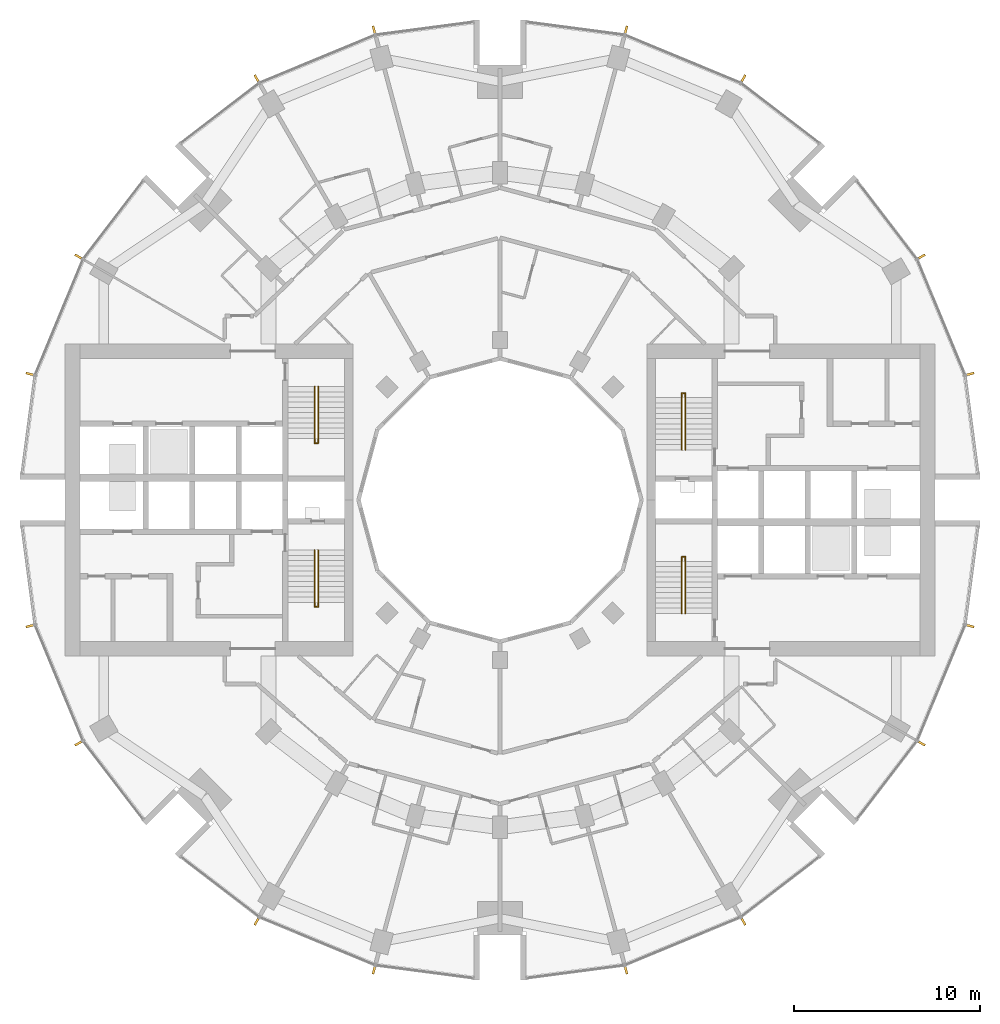
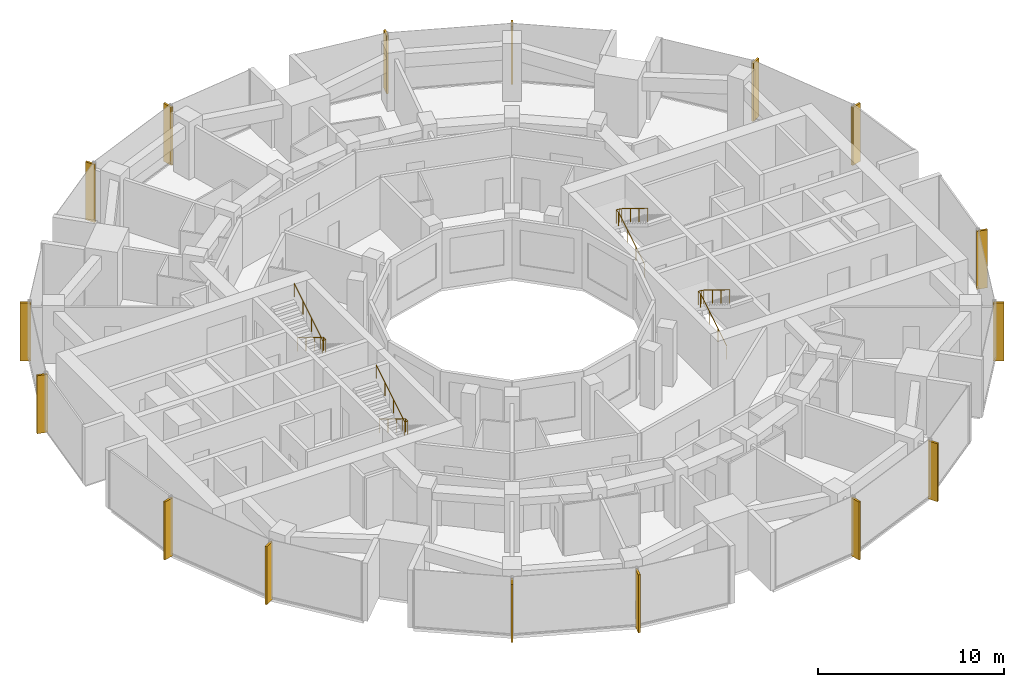
# One storey, part 14 of 15: 16 shading devices, 4 railings.
"""IFC4 building model written with IfcOpenShell, lengths in metres."""

from ifc_helpers import new_model, si_unit, direction, frame, origin, origin_2d, place, context, subcontext, project, spatial, rectangle, circle, extrude, material, material_profile, profile_set, type_object, element, save


model = new_model("IFC4")

# Units and contexts
model_context = context("Model", 3, precision=1e-05, world=origin(), true_north=direction((0.0, 1.0)))
body_context = subcontext(model_context, "Body", "Model", "MODEL_VIEW")
ifc_project = project(units=[si_unit("LENGTHUNIT", "METRE"), si_unit("AREAUNIT", "SQUARE_METRE"), si_unit("VOLUMEUNIT", "CUBIC_METRE"), si_unit("PLANEANGLEUNIT", "RADIAN"), si_unit("MASSUNIT", "GRAM", prefix="KILO")], contexts=[model_context])

# Site, building, storey
site_placement = place(None, origin())
site = spatial("IfcSite", under=ifc_project, at=site_placement, CompositionType="ELEMENT")
building_placement = place(site_placement, origin())
building = spatial("IfcBuilding", under=site, at=building_placement, Name="Torre Brocal", CompositionType="ELEMENT")
storey_placement = place(building_placement, frame((0.0, 0.0, 70.60009765625)))
storey = spatial("IfcBuildingStorey", under=building, at=storey_placement, Name="L16", CompositionType="ELEMENT", Elevation=70.60009765625)

# Shading devices
ifc_material_1 = material(Name="Aluminium, black anodised", Category="aluminium")
ifc_material_profile = material_profile(ifc_material_1, rectangle(XDim=0.1201171875, YDim=0.60009765625, at=origin_2d()), Name="FIN 120X600 3800 HIGH")
ifc_profile_set = profile_set([ifc_material_profile], Name="Aluminium, black anodised")
shading_device_type = type_object("IfcShadingDeviceType", Name="FIN 120X600 3800 HIGH", PredefinedType="USERDEFINED", material=ifc_profile_set)
for number, where, z_axis, x_axis, name in (
    (1, (105.208984375, 81.754638671875, -0.150146484375), (0.0, 0.0, 1.0), (-0.258819045103, 0.965925826289, 0.0), "FIN"),
    (2, (102.601806640625, 88.049072265625, -0.150146484375), (0.0, 0.0, 1.0), (-0.5, 0.866025403784, 0.0), "FIN"),
    (3, (93.049072265625, 97.601806640625, -0.150146484375), (0.0, 0.0, 1.0), (-0.866025403784, 0.5, 0.0), "FIN"),
    (4, (86.754638671875, 100.208984375, -0.150146484375), (0.0, 0.0, 1.0), (-0.965925826289, 0.258819045103, 0.0), "FIN"),
    (5, (73.245361328125, 100.208984375, -0.150146484375), (0.0, 0.0, 1.0), (-0.965925826289, -0.258819045103, 0.0), "FIN"),
    (6, (66.950927734375, 97.601806640625, -0.150146484375), (0.0, 0.0, 1.0), (-0.866025403784, -0.5, 0.0), "FIN"),
    (7, (57.398193359375, 88.049072265625, -0.150146484375), (0.0, 0.0, 1.0), (-0.5, -0.866025403784, 0.0), "FIN"),
    (8, (54.791015625, 81.754638671875, -0.150146484375), (0.0, 0.0, 1.0), (-0.258819045103, -0.965925826289, 0.0), "FIN"),
    (9, (54.791015625, 68.245361328125, -0.150146484375), (0.0, 0.0, 1.0), (0.258819045103, -0.965925826289, 0.0), "FIN"),
    (10, (57.398193359375, 61.950927734375, -0.150146484375), (0.0, 0.0, 1.0), (0.5, -0.866025403784, 0.0), "FIN"),
    (11, (66.950927734375, 52.398193359375, -0.150146484375), (0.0, 0.0, 1.0), (0.866025403784, -0.5, 0.0), "FIN"),
    (12, (73.245361328125, 49.791015625, -0.150146484375), (0.0, 0.0, 1.0), (0.965925826289, -0.258819045103, 0.0), "FIN"),
    (13, (86.754638671875, 49.791015625, -0.150146484375), (0.0, 0.0, 1.0), (0.965925826289, 0.258819045103, 0.0), "FIN"),
    (14, (93.049072265625, 52.398193359375, -0.150146484375), (0.0, 0.0, 1.0), (0.866025403784, 0.5, 0.0), "FIN"),
    (15, (102.601806640625, 61.950927734375, -0.150146484375), (0.0, 0.0, 1.0), (0.5, 0.866025403784, 0.0), "FIN"),
    (16, (105.208984375, 68.245361328125, -0.150146484375), (0.0, 0.0, 1.0), (0.258819045103, 0.965925826289, 0.0), "FIN"),
):
    element("IfcShadingDevice", number, at=place(storey_placement, frame(where, z_axis=z_axis, x_axis=x_axis)), inside=storey, type_object=shading_device_type, Name=name, ObjectType="FIN", PredefinedType="USERDEFINED", context=body_context, shape_type="SweptSolid", body=[
        extrude(rectangle(XDim=0.1201171875, YDim=0.60009765625, at=origin_2d()), origin(), (0.0, 0.0, 1.0), 3.800048828125),
    ])

# Railings
ifc_material_2 = material(Name="Stainless steel AISI 316", Category="steel")
railing_type = type_object("IfcRailingType", Name="STAIR HANDRAIL", PredefinedType="HANDRAIL", material=ifc_material_2)
railing_1_placement = place(storey_placement, frame((89.780029296875, 77.699951171875, 0.172607421875)))
element("IfcRailing", 17, at=railing_1_placement, inside=storey, type_object=railing_type, Name="HANDRAIL ST1", PredefinedType="HANDRAIL", context=body_context, shape_type="SweptSolid", body=[
    extrude(circle(Radius=0.02392578125, at=origin_2d()), frame((0.0, 0.0, 0.8759765625), z_axis=(0.0, 0.851089632645, 0.525020415988), x_axis=(-1.0, 0.0, 0.0)), (0.0, 0.0, 1.0), 3.2900390625),
    extrude(circle(Radius=0.02392578125, at=origin_2d()), frame((0.0, 2.800048828125, 2.60302734375), z_axis=(0.0, 1.0, 0.0), x_axis=(-1.0, 0.0, 0.0)), (0.0, 0.0, 1.0), 0.25),
    extrude(circle(Radius=0.02392578125, at=origin_2d()), frame((0.0, 3.050048828125, 2.60302734375), z_axis=(1.0, 0.0, 0.0), x_axis=(0.0, 1.0, 0.0)), (0.0, 0.0, 1.0), 0.18994140625),
    extrude(circle(Radius=0.02392578125, at=origin_2d()), frame((0.18994140625, 3.050048828125, 2.60302734375), z_axis=(0.0, -0.822914792866, 0.568164803277), x_axis=(1.0, 0.0, 0.0)), (0.0, 0.0, 1.0), 0.3037109375),
    extrude(circle(Radius=0.02392578125, at=origin_2d()), frame((0.18994140625, 2.800048828125, 2.77587890625), z_axis=(0.0, -0.851089632645, 0.525020415988), x_axis=(1.0, 0.0, 0.0)), (0.0, 0.0, 1.0), 3.2900390625),
    extrude(circle(Radius=0.02099609375, at=origin_2d()), origin(), (0.0, 0.0, 1.0), 0.851806640625),
    extrude(circle(Radius=0.02099609375, at=origin_2d()), frame((0.0, 0.933349609375, 0.57568359375)), (0.0, 0.0, 1.0), 0.851806640625),
    extrude(circle(Radius=0.02099609375, at=origin_2d()), frame((0.0, 1.86669921875, 1.151611328125)), (0.0, 0.0, 1.0), 0.851806640625),
    extrude(circle(Radius=0.02099609375, at=origin_2d()), frame((0.0, 2.800048828125, 1.727294921875)), (0.0, 0.0, 1.0), 0.851806640625),
    extrude(circle(Radius=0.02099609375, at=origin_2d()), frame((0.0, 3.050048828125, 1.727294921875)), (0.0, 0.0, 1.0), 0.851806640625),
    extrude(circle(Radius=0.02099609375, at=origin_2d()), frame((0.18994140625, 3.050048828125, 1.727294921875)), (0.0, 0.0, 1.0), 0.851806640625),
    extrude(circle(Radius=0.02099609375, at=origin_2d()), frame((0.18994140625, 2.800048828125, 1.89990234375)), (0.0, 0.0, 1.0), 0.851806640625),
    extrude(circle(Radius=0.02099609375, at=origin_2d()), frame((0.18994140625, 1.86669921875, 2.4755859375)), (0.0, 0.0, 1.0), 0.851806640625),
    extrude(circle(Radius=0.02099609375, at=origin_2d()), frame((0.18994140625, 0.933349609375, 3.051513671875)), (0.0, 0.0, 1.0), 0.851806640625),
    extrude(circle(Radius=0.02099609375, at=origin_2d()), frame((0.18994140625, 0.0, 3.627197265625)), (0.0, 0.0, 1.0), 0.851806640625),
])
railing_2_placement = place(storey_placement, frame((89.780029296875, 68.89990234375, 0.172607421875)))
element("IfcRailing", 18, at=railing_2_placement, inside=storey, type_object=railing_type, Name="HANDRAIL ST2", PredefinedType="HANDRAIL", context=body_context, shape_type="SweptSolid", body=[
    extrude(circle(Radius=0.02392578125, at=origin_2d()), frame((0.0, 0.0, 0.8759765625), z_axis=(0.0, 0.851089632645, 0.525020415988), x_axis=(-1.0, 0.0, 0.0)), (0.0, 0.0, 1.0), 3.2900390625),
    extrude(circle(Radius=0.02392578125, at=origin_2d()), frame((0.0, 2.800048828125, 2.60302734375), z_axis=(0.0, 1.0, 0.0), x_axis=(-1.0, 0.0, 0.0)), (0.0, 0.0, 1.0), 0.25),
    extrude(circle(Radius=0.02392578125, at=origin_2d()), frame((0.0, 3.050048828125, 2.60302734375), z_axis=(1.0, 0.0, 0.0), x_axis=(0.0, 1.0, 0.0)), (0.0, 0.0, 1.0), 0.18994140625),
    extrude(circle(Radius=0.02392578125, at=origin_2d()), frame((0.18994140625, 3.050048828125, 2.60302734375), z_axis=(0.0, -0.822914792866, 0.568164803277), x_axis=(1.0, 0.0, 0.0)), (0.0, 0.0, 1.0), 0.3037109375),
    extrude(circle(Radius=0.02392578125, at=origin_2d()), frame((0.18994140625, 2.800048828125, 2.77587890625), z_axis=(0.0, -0.851089632645, 0.525020415988), x_axis=(1.0, 0.0, 0.0)), (0.0, 0.0, 1.0), 3.2900390625),
    extrude(circle(Radius=0.02099609375, at=origin_2d()), origin(), (0.0, 0.0, 1.0), 0.851806640625),
    extrude(circle(Radius=0.02099609375, at=origin_2d()), frame((0.0, 0.933349609375, 0.57568359375)), (0.0, 0.0, 1.0), 0.851806640625),
    extrude(circle(Radius=0.02099609375, at=origin_2d()), frame((0.0, 1.86669921875, 1.151611328125)), (0.0, 0.0, 1.0), 0.851806640625),
    extrude(circle(Radius=0.02099609375, at=origin_2d()), frame((0.0, 2.800048828125, 1.727294921875)), (0.0, 0.0, 1.0), 0.851806640625),
    extrude(circle(Radius=0.02099609375, at=origin_2d()), frame((0.0, 3.050048828125, 1.727294921875)), (0.0, 0.0, 1.0), 0.851806640625),
    extrude(circle(Radius=0.02099609375, at=origin_2d()), frame((0.18994140625, 3.050048828125, 1.727294921875)), (0.0, 0.0, 1.0), 0.851806640625),
    extrude(circle(Radius=0.02099609375, at=origin_2d()), frame((0.18994140625, 2.800048828125, 1.89990234375)), (0.0, 0.0, 1.0), 0.851806640625),
    extrude(circle(Radius=0.02099609375, at=origin_2d()), frame((0.18994140625, 1.86669921875, 2.4755859375)), (0.0, 0.0, 1.0), 0.851806640625),
    extrude(circle(Radius=0.02099609375, at=origin_2d()), frame((0.18994140625, 0.933349609375, 3.051513671875)), (0.0, 0.0, 1.0), 0.851806640625),
    extrude(circle(Radius=0.02099609375, at=origin_2d()), frame((0.18994140625, 0.0, 3.627197265625)), (0.0, 0.0, 1.0), 0.851806640625),
])
railing_3_placement = place(storey_placement, frame((70.219970703125, 72.300048828125, 0.172607421875)))
element("IfcRailing", 19, at=railing_3_placement, inside=storey, type_object=railing_type, Name="HANDRAIL ST3", PredefinedType="HANDRAIL", context=body_context, shape_type="SweptSolid", body=[
    extrude(circle(Radius=0.02392578125, at=origin_2d()), frame((0.0, 0.0, 0.8759765625), z_axis=(0.0, -0.851089632645, 0.525020415988), x_axis=(1.0, 0.0, 0.0)), (0.0, 0.0, 1.0), 3.2900390625),
    extrude(circle(Radius=0.02392578125, at=origin_2d()), frame((0.0, -2.800048828125, 2.60302734375), z_axis=(0.0, -1.0, 0.0), x_axis=(1.0, 0.0, 0.0)), (0.0, 0.0, 1.0), 0.25),
    extrude(circle(Radius=0.02392578125, at=origin_2d()), frame((0.0, -3.050048828125, 2.60302734375), z_axis=(-1.0, 0.0, 0.0), x_axis=(0.0, -1.0, 0.0)), (0.0, 0.0, 1.0), 0.18994140625),
    extrude(circle(Radius=0.02392578125, at=origin_2d()), frame((-0.18994140625, -3.050048828125, 2.60302734375), z_axis=(0.0, 0.822914792866, 0.568164803277), x_axis=(-1.0, 0.0, 0.0)), (0.0, 0.0, 1.0), 0.3037109375),
    extrude(circle(Radius=0.02392578125, at=origin_2d()), frame((-0.18994140625, -2.800048828125, 2.77587890625), z_axis=(0.0, 0.851089632645, 0.525020415988), x_axis=(-1.0, 0.0, 0.0)), (0.0, 0.0, 1.0), 3.2900390625),
    extrude(circle(Radius=0.02099609375, at=origin_2d()), origin(), (0.0, 0.0, 1.0), 0.851806640625),
    extrude(circle(Radius=0.02099609375, at=origin_2d()), frame((0.0, -0.933349609375, 0.57568359375)), (0.0, 0.0, 1.0), 0.851806640625),
    extrude(circle(Radius=0.02099609375, at=origin_2d()), frame((0.0, -1.86669921875, 1.151611328125)), (0.0, 0.0, 1.0), 0.851806640625),
    extrude(circle(Radius=0.02099609375, at=origin_2d()), frame((0.0, -2.800048828125, 1.727294921875)), (0.0, 0.0, 1.0), 0.851806640625),
    extrude(circle(Radius=0.02099609375, at=origin_2d()), frame((0.0, -3.050048828125, 1.727294921875)), (0.0, 0.0, 1.0), 0.851806640625),
    extrude(circle(Radius=0.02099609375, at=origin_2d()), frame((-0.18994140625, -3.050048828125, 1.727294921875)), (0.0, 0.0, 1.0), 0.851806640625),
    extrude(circle(Radius=0.02099609375, at=origin_2d()), frame((-0.18994140625, -2.800048828125, 1.89990234375)), (0.0, 0.0, 1.0), 0.851806640625),
    extrude(circle(Radius=0.02099609375, at=origin_2d()), frame((-0.18994140625, -1.86669921875, 2.4755859375)), (0.0, 0.0, 1.0), 0.851806640625),
    extrude(circle(Radius=0.02099609375, at=origin_2d()), frame((-0.18994140625, -0.933349609375, 3.051513671875)), (0.0, 0.0, 1.0), 0.851806640625),
    extrude(circle(Radius=0.02099609375, at=origin_2d()), frame((-0.18994140625, 0.0, 3.627197265625)), (0.0, 0.0, 1.0), 0.851806640625),
])
railing_4_placement = place(storey_placement, frame((70.219970703125, 81.10009765625, 0.172607421875)))
element("IfcRailing", 20, at=railing_4_placement, inside=storey, type_object=railing_type, Name="HANDRAIL ST4", PredefinedType="HANDRAIL", context=body_context, shape_type="SweptSolid", body=[
    extrude(circle(Radius=0.02392578125, at=origin_2d()), frame((0.0, 0.0, 0.8759765625), z_axis=(0.0, -0.851089632645, 0.525020415988), x_axis=(1.0, 0.0, 0.0)), (0.0, 0.0, 1.0), 3.2900390625),
    extrude(circle(Radius=0.02392578125, at=origin_2d()), frame((0.0, -2.800048828125, 2.60302734375), z_axis=(0.0, -1.0, 0.0), x_axis=(1.0, 0.0, 0.0)), (0.0, 0.0, 1.0), 0.25),
    extrude(circle(Radius=0.02392578125, at=origin_2d()), frame((0.0, -3.050048828125, 2.60302734375), z_axis=(-1.0, 0.0, 0.0), x_axis=(0.0, -1.0, 0.0)), (0.0, 0.0, 1.0), 0.18994140625),
    extrude(circle(Radius=0.02392578125, at=origin_2d()), frame((-0.18994140625, -3.050048828125, 2.60302734375), z_axis=(0.0, 0.822914792866, 0.568164803277), x_axis=(-1.0, 0.0, 0.0)), (0.0, 0.0, 1.0), 0.3037109375),
    extrude(circle(Radius=0.02392578125, at=origin_2d()), frame((-0.18994140625, -2.800048828125, 2.77587890625), z_axis=(0.0, 0.851089632645, 0.525020415988), x_axis=(-1.0, 0.0, 0.0)), (0.0, 0.0, 1.0), 3.2900390625),
    extrude(circle(Radius=0.02099609375, at=origin_2d()), origin(), (0.0, 0.0, 1.0), 0.851806640625),
    extrude(circle(Radius=0.02099609375, at=origin_2d()), frame((0.0, -0.933349609375, 0.57568359375)), (0.0, 0.0, 1.0), 0.851806640625),
    extrude(circle(Radius=0.02099609375, at=origin_2d()), frame((0.0, -1.86669921875, 1.151611328125)), (0.0, 0.0, 1.0), 0.851806640625),
    extrude(circle(Radius=0.02099609375, at=origin_2d()), frame((0.0, -2.800048828125, 1.727294921875)), (0.0, 0.0, 1.0), 0.851806640625),
    extrude(circle(Radius=0.02099609375, at=origin_2d()), frame((0.0, -3.050048828125, 1.727294921875)), (0.0, 0.0, 1.0), 0.851806640625),
    extrude(circle(Radius=0.02099609375, at=origin_2d()), frame((-0.18994140625, -3.050048828125, 1.727294921875)), (0.0, 0.0, 1.0), 0.851806640625),
    extrude(circle(Radius=0.02099609375, at=origin_2d()), frame((-0.18994140625, -2.800048828125, 1.89990234375)), (0.0, 0.0, 1.0), 0.851806640625),
    extrude(circle(Radius=0.02099609375, at=origin_2d()), frame((-0.18994140625, -1.86669921875, 2.4755859375)), (0.0, 0.0, 1.0), 0.851806640625),
    extrude(circle(Radius=0.02099609375, at=origin_2d()), frame((-0.18994140625, -0.933349609375, 3.051513671875)), (0.0, 0.0, 1.0), 0.851806640625),
    extrude(circle(Radius=0.02099609375, at=origin_2d()), frame((-0.18994140625, 0.0, 3.627197265625)), (0.0, 0.0, 1.0), 0.851806640625),
])

save(model, "model.ifc")
